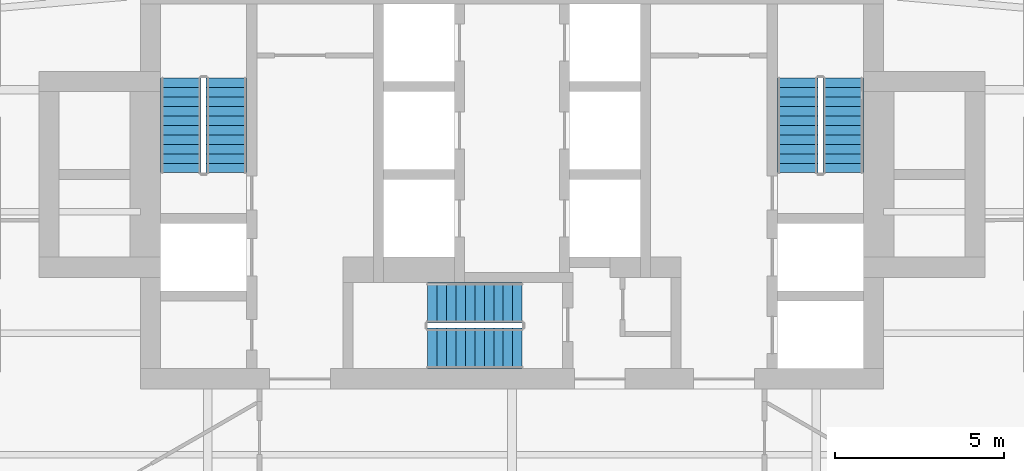
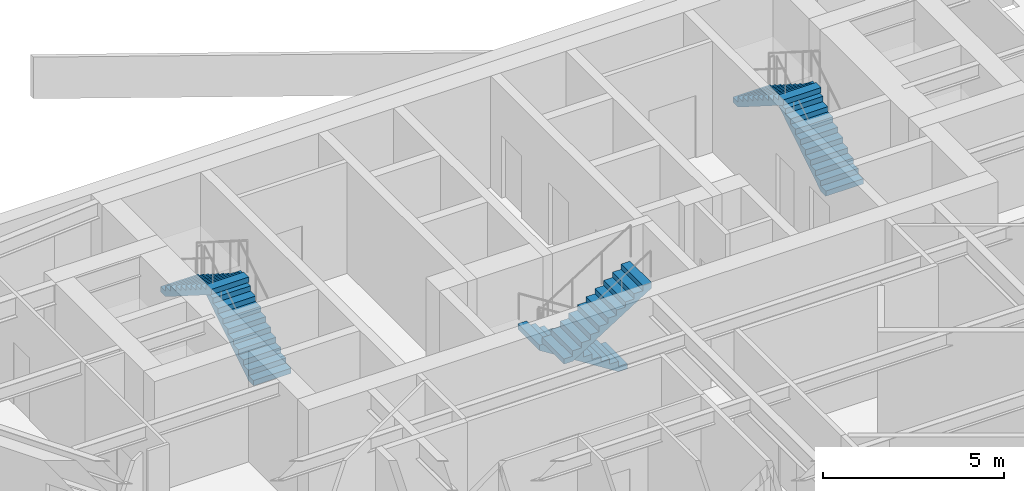
# One storey, part 6 of 7: 6 stair flights, 3 elements without a shape of their own.
"""IFC4 building model written with IfcOpenShell, lengths in metres."""

from ifc_helpers import new_model, si_unit, direction, frame, origin, place, context, subcontext, project, spatial, polyline, outline, extrude, material, type_object, element, aggregate, save


model = new_model("IFC4")

# Units and contexts
model_context = context("Model", 3, precision=1e-05, world=origin(), true_north=direction((0.0, 1.0)))
body_context = subcontext(model_context, "Body", "Model", "MODEL_VIEW")
ifc_project = project(units=[si_unit("LENGTHUNIT", "METRE"), si_unit("AREAUNIT", "SQUARE_METRE"), si_unit("VOLUMEUNIT", "CUBIC_METRE"), si_unit("PLANEANGLEUNIT", "RADIAN"), si_unit("MASSUNIT", "GRAM", prefix="KILO")], contexts=[model_context])

# Site, building, storey
site_placement = place(None, origin())
site = spatial("IfcSite", under=ifc_project, at=site_placement, CompositionType="ELEMENT")
building_placement = place(site_placement, origin())
building = spatial("IfcBuilding", under=site, at=building_placement, Name="Aloe Facet Convention Tower", CompositionType="ELEMENT")
storey_placement = place(building_placement, frame((0.0, 0.0, 132.5)))
storey = spatial("IfcBuildingStorey", under=building, at=storey_placement, Name="L33", CompositionType="ELEMENT", Elevation=132.5)

# Stair, stair flights
ifc_material_1 = material(Name="Concrete C50/60", Category="concrete")
stair_type = type_object("IfcStairType", Name="CR-ST-22R", PredefinedType="HALF_TURN_STAIR", material=ifc_material_1)
stair_1_placement = place(storey_placement, origin())
stair_1 = element("IfcStair", 1, at=stair_1_placement, inside=storey, type_object=stair_type, Name="L33 Protected exit stair ST1", PredefinedType="HALF_TURN_STAIR")
ifc_material_2 = material(Name="Concrete C50/60", Category="concrete")
stair_flight_type = type_object("IfcStairFlightType", Name="CR-SFL-22R", PredefinedType="STRAIGHT", material=ifc_material_2)
stair_flight_1_placement = place(storey_placement, frame((71.550048828125, 128.949951171875, 0.0), z_axis=(0.0, 0.0, 1.0), x_axis=(0.0, 1.0, 0.0)))
stair_flight_1 = element("IfcStairFlight", 2, at=stair_flight_1_placement, type_object=stair_flight_type, Name="ST1 flight 1", NumberOfRisers=11, NumberOfTreads=10, PredefinedType="STRAIGHT", RiserHeight=0.177272727, TreadLength=0.28, context=body_context, shape_type="SweptSolid", body=[
    extrude(outline(polyline([(0.0, 0.0), (0.0, 0.17724609375), (0.280029296875, 0.17724609375), (0.280029296875, 0.3544921875), (0.56005859375, 0.3544921875), (0.56005859375, 0.53173828125), (0.840087890625, 0.53173828125), (0.840087890625, 0.708984375), (1.1201171875, 0.708984375), (1.1201171875, 0.886474609375), (1.39990234375, 0.886474609375), (1.39990234375, 1.063720703125), (1.679931640625, 1.063720703125), (1.679931640625, 1.240966796875), (1.9599609375, 1.240966796875), (1.9599609375, 1.418212890625), (2.239990234375, 1.418212890625), (2.239990234375, 1.595458984375), (2.52001953125, 1.595458984375), (2.52001953125, 1.772705078125), (2.800048828125, 1.772705078125), (2.800048828125, 1.949951171875), (2.800048828125, 1.59521484375), (0.2802734375, 0.0), (0.0, 0.0)])), frame((0.0, 0.60009765625, 0.0), z_axis=(0.0, -1.0, 0.0), x_axis=(1.0, 0.0, 0.0)), (0.0, 0.0, 1.0), 1.199951171875),
])
stair_flight_2_placement = place(storey_placement, frame((70.199951171875, 131.75, 1.949951171875), z_axis=(0.0, 0.0, 1.0), x_axis=(0.0, -1.0, 0.0)))
stair_flight_2 = element("IfcStairFlight", 3, at=stair_flight_2_placement, type_object=stair_flight_type, Name="ST1 flight 2", NumberOfRisers=11, NumberOfTreads=10, PredefinedType="STRAIGHT", RiserHeight=0.177272727, TreadLength=0.28, context=body_context, shape_type="SweptSolid", body=[
    extrude(outline(polyline([(0.0, 0.0), (0.0, 0.17724609375), (0.280029296875, 0.17724609375), (0.280029296875, 0.3544921875), (0.56005859375, 0.3544921875), (0.56005859375, 0.53173828125), (0.840087890625, 0.53173828125), (0.840087890625, 0.708984375), (1.1201171875, 0.708984375), (1.1201171875, 0.886474609375), (1.39990234375, 0.886474609375), (1.39990234375, 1.063720703125), (1.679931640625, 1.063720703125), (1.679931640625, 1.240966796875), (1.9599609375, 1.240966796875), (1.9599609375, 1.418212890625), (2.239990234375, 1.418212890625), (2.239990234375, 1.595458984375), (2.52001953125, 1.595458984375), (2.52001953125, 1.772705078125), (2.800048828125, 1.772705078125), (2.800048828125, 1.949951171875), (2.800048828125, 1.59521484375), (0.2802734375, 0.0), (0.0, 0.0)])), frame((0.0, 0.60009765625, 0.0), z_axis=(0.0, -1.0, 0.0), x_axis=(1.0, 0.0, 0.0)), (0.0, 0.0, 1.0), 1.199951171875),
])
aggregate(stair_1, [stair_flight_1, stair_flight_2])

stair_2_placement = place(storey_placement, origin())
stair_2 = element("IfcStair", 4, at=stair_2_placement, inside=storey, type_object=stair_type, Name="L33 Protected exit stair ST2", PredefinedType="HALF_TURN_STAIR")
stair_flight_3_placement = place(storey_placement, frame((89.800048828125, 128.949951171875, 0.0), z_axis=(0.0, 0.0, 1.0), x_axis=(0.0, 1.0, 0.0)))
stair_flight_3 = element("IfcStairFlight", 5, at=stair_flight_3_placement, type_object=stair_flight_type, Name="ST2 flight 1", NumberOfRisers=11, NumberOfTreads=10, PredefinedType="STRAIGHT", RiserHeight=0.177272727, TreadLength=0.28, context=body_context, shape_type="SweptSolid", body=[
    extrude(outline(polyline([(0.0, 0.0), (0.0, 0.17724609375), (0.280029296875, 0.17724609375), (0.280029296875, 0.3544921875), (0.56005859375, 0.3544921875), (0.56005859375, 0.53173828125), (0.840087890625, 0.53173828125), (0.840087890625, 0.708984375), (1.1201171875, 0.708984375), (1.1201171875, 0.886474609375), (1.39990234375, 0.886474609375), (1.39990234375, 1.063720703125), (1.679931640625, 1.063720703125), (1.679931640625, 1.240966796875), (1.9599609375, 1.240966796875), (1.9599609375, 1.418212890625), (2.239990234375, 1.418212890625), (2.239990234375, 1.595458984375), (2.52001953125, 1.595458984375), (2.52001953125, 1.772705078125), (2.800048828125, 1.772705078125), (2.800048828125, 1.949951171875), (2.800048828125, 1.59521484375), (0.2802734375, 0.0), (0.0, 0.0)])), frame((0.0, 0.60009765625, 0.0), z_axis=(0.0, -1.0, 0.0), x_axis=(1.0, 0.0, 0.0)), (0.0, 0.0, 1.0), 1.199951171875),
])
stair_flight_4_placement = place(storey_placement, frame((88.449951171875, 131.75, 1.949951171875), z_axis=(0.0, 0.0, 1.0), x_axis=(0.0, -1.0, 0.0)))
stair_flight_4 = element("IfcStairFlight", 6, at=stair_flight_4_placement, type_object=stair_flight_type, Name="ST2 flight 2", NumberOfRisers=11, NumberOfTreads=10, PredefinedType="STRAIGHT", RiserHeight=0.177272727, TreadLength=0.28, context=body_context, shape_type="SweptSolid", body=[
    extrude(outline(polyline([(0.0, 0.0), (0.0, 0.17724609375), (0.280029296875, 0.17724609375), (0.280029296875, 0.3544921875), (0.56005859375, 0.3544921875), (0.56005859375, 0.53173828125), (0.840087890625, 0.53173828125), (0.840087890625, 0.708984375), (1.1201171875, 0.708984375), (1.1201171875, 0.886474609375), (1.39990234375, 0.886474609375), (1.39990234375, 1.063720703125), (1.679931640625, 1.063720703125), (1.679931640625, 1.240966796875), (1.9599609375, 1.240966796875), (1.9599609375, 1.418212890625), (2.239990234375, 1.418212890625), (2.239990234375, 1.595458984375), (2.52001953125, 1.595458984375), (2.52001953125, 1.772705078125), (2.800048828125, 1.772705078125), (2.800048828125, 1.949951171875), (2.800048828125, 1.59521484375), (0.2802734375, 0.0), (0.0, 0.0)])), frame((0.0, 0.60009765625, 0.0), z_axis=(0.0, -1.0, 0.0), x_axis=(1.0, 0.0, 0.0)), (0.0, 0.0, 1.0), 1.199951171875),
])
aggregate(stair_2, [stair_flight_3, stair_flight_4])

stair_3_placement = place(storey_placement, origin())
stair_3 = element("IfcStair", 7, at=stair_3_placement, inside=storey, type_object=stair_type, Name="L33 Protected exit stair ST3", PredefinedType="HALF_TURN_STAIR")
stair_flight_5_placement = place(storey_placement, frame((80.300048828125, 125.10009765625, 0.0), z_axis=(0.0, 0.0, 1.0), x_axis=(-1.0, 0.0, 0.0)))
stair_flight_5 = element("IfcStairFlight", 8, at=stair_flight_5_placement, type_object=stair_flight_type, Name="ST3 flight 1", NumberOfRisers=11, NumberOfTreads=10, PredefinedType="STRAIGHT", RiserHeight=0.177272727, TreadLength=0.28, context=body_context, shape_type="SweptSolid", body=[
    extrude(outline(polyline([(0.0, 0.0), (0.0, 0.17724609375), (0.280029296875, 0.17724609375), (0.280029296875, 0.3544921875), (0.56005859375, 0.3544921875), (0.56005859375, 0.53173828125), (0.840087890625, 0.53173828125), (0.840087890625, 0.708984375), (1.1201171875, 0.708984375), (1.1201171875, 0.886474609375), (1.39990234375, 0.886474609375), (1.39990234375, 1.063720703125), (1.679931640625, 1.063720703125), (1.679931640625, 1.240966796875), (1.9599609375, 1.240966796875), (1.9599609375, 1.418212890625), (2.239990234375, 1.418212890625), (2.239990234375, 1.595458984375), (2.52001953125, 1.595458984375), (2.52001953125, 1.772705078125), (2.800048828125, 1.772705078125), (2.800048828125, 1.949951171875), (2.800048828125, 1.59521484375), (0.2802734375, 0.0), (0.0, 0.0)])), frame((0.0, 0.60009765625, 0.0), z_axis=(0.0, -1.0, 0.0), x_axis=(1.0, 0.0, 0.0)), (0.0, 0.0, 1.0), 1.199951171875),
])
stair_flight_6_placement = place(storey_placement, frame((77.5, 123.75, 1.949951171875), z_axis=(0.0, 0.0, 1.0), x_axis=(1.0, 0.0, 0.0)))
stair_flight_6 = element("IfcStairFlight", 9, at=stair_flight_6_placement, type_object=stair_flight_type, Name="ST3 flight 2", NumberOfRisers=11, NumberOfTreads=10, PredefinedType="STRAIGHT", RiserHeight=0.177272727, TreadLength=0.28, context=body_context, shape_type="SweptSolid", body=[
    extrude(outline(polyline([(0.0, 0.0), (0.0, 0.17724609375), (0.280029296875, 0.17724609375), (0.280029296875, 0.3544921875), (0.56005859375, 0.3544921875), (0.56005859375, 0.53173828125), (0.840087890625, 0.53173828125), (0.840087890625, 0.708984375), (1.1201171875, 0.708984375), (1.1201171875, 0.886474609375), (1.39990234375, 0.886474609375), (1.39990234375, 1.063720703125), (1.679931640625, 1.063720703125), (1.679931640625, 1.240966796875), (1.9599609375, 1.240966796875), (1.9599609375, 1.418212890625), (2.239990234375, 1.418212890625), (2.239990234375, 1.595458984375), (2.52001953125, 1.595458984375), (2.52001953125, 1.772705078125), (2.800048828125, 1.772705078125), (2.800048828125, 1.949951171875), (2.800048828125, 1.59521484375), (0.2802734375, 0.0), (0.0, 0.0)])), frame((0.0, 0.60009765625, 0.0), z_axis=(0.0, -1.0, 0.0), x_axis=(1.0, 0.0, 0.0)), (0.0, 0.0, 1.0), 1.199951171875),
])
aggregate(stair_3, [stair_flight_5, stair_flight_6])

save(model, "model.ifc")
